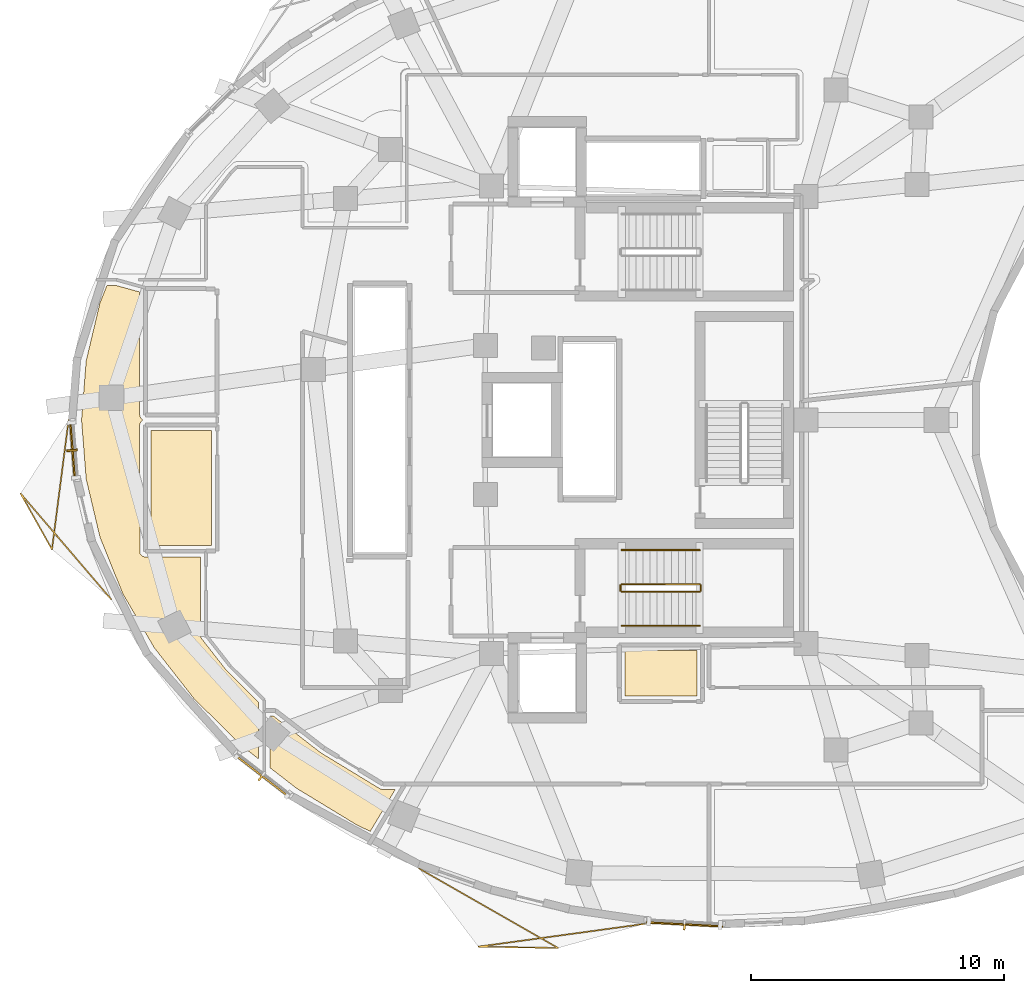
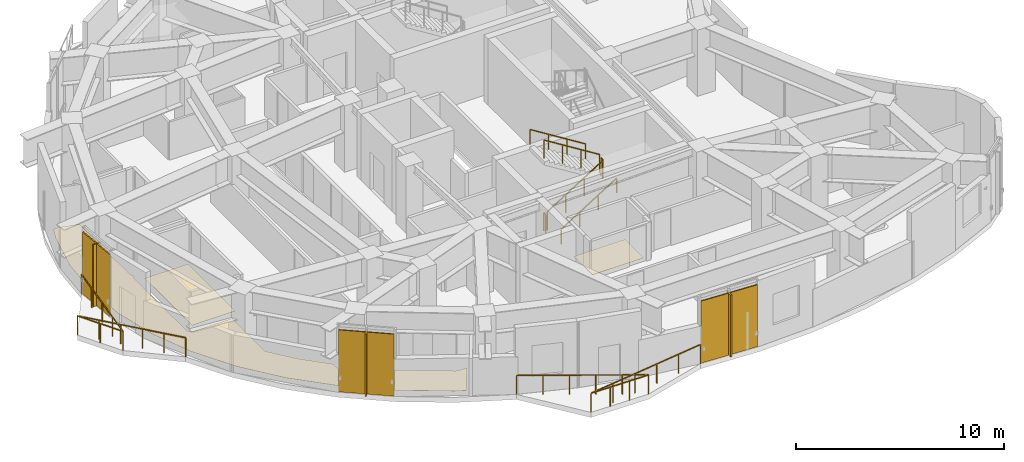
# One storey, part 11 of 13: 8 railings, 6 shading devices, 4 coverings.
"""IFC4 building model written with IfcOpenShell, lengths in metres."""

from ifc_helpers import new_model, si_unit, direction, frame, origin, origin_2d, place, context, subcontext, project, spatial, polyline, rectangle, outline, extrude, material, layer, layer_set, type_object, element, save


model = new_model("IFC4")

# Units and contexts
model_context = context("Model", 3, precision=1e-05, world=origin(), true_north=direction((0.0, 1.0)))
body_context = subcontext(model_context, "Body", "Model", "MODEL_VIEW")
ifc_project = project(units=[si_unit("LENGTHUNIT", "METRE"), si_unit("AREAUNIT", "SQUARE_METRE"), si_unit("VOLUMEUNIT", "CUBIC_METRE"), si_unit("PLANEANGLEUNIT", "RADIAN"), si_unit("MASSUNIT", "GRAM", prefix="KILO")], contexts=[model_context])

# Site, building, storey
site_placement = place(None, origin())
site = spatial("IfcSite", under=ifc_project, at=site_placement, CompositionType="ELEMENT")
building_placement = place(site_placement, origin())
building = spatial("IfcBuilding", under=site, at=building_placement, Name="Korentha Bioscience Tower", CompositionType="ELEMENT")
storey_placement = place(building_placement, frame((0.0, 0.0, 208.800048828125)))
storey = spatial("IfcBuildingStorey", under=building, at=storey_placement, Name="L48", CompositionType="ELEMENT", Elevation=208.800048828125)

# Railings
ifc_material_1 = material(Name="Stainless Steel 304", Category="steel")
railing_type_1 = type_object("IfcRailingType", Name="Brushed Stainless Stair Handrail 900", PredefinedType="HANDRAIL", material=ifc_material_1)
railing_1_placement = place(storey_placement, frame((30.25, 18.85009765625, 0.175048828125)))
element("IfcRailing", 1, at=railing_1_placement, inside=storey, type_object=railing_type_1, Name="L48 ST-2 stair handrail 1", PredefinedType="HANDRAIL", context=body_context, shape_type="SweptSolid", body=[
    extrude(rectangle(XDim=0.048095703125, YDim=0.048095703125, at=origin_2d()), frame((0.0, 0.0, 0.8759765625), z_axis=(0.848028513186, 0.0, 0.529950602248), x_axis=(0.0, 1.0, 0.0)), (0.0, 0.0, 1.0), 3.632080078125),
    extrude(rectangle(XDim=0.0419921875, YDim=0.0419921875, at=origin_2d()), origin(), (0.0, 0.0, 1.0), 0.851806640625),
    extrude(rectangle(XDim=0.0419921875, YDim=0.0419921875, at=origin_2d()), frame((1.026611328125, 0.0, 0.6416015625)), (0.0, 0.0, 1.0), 0.851806640625),
    extrude(rectangle(XDim=0.0419921875, YDim=0.0419921875, at=origin_2d()), frame((2.053466796875, 0.0, 1.283203125)), (0.0, 0.0, 1.0), 0.851806640625),
    extrude(rectangle(XDim=0.0419921875, YDim=0.0419921875, at=origin_2d()), frame((3.080078125, 0.0, 1.9248046875)), (0.0, 0.0, 1.0), 0.851806640625),
])
railing_2_placement = place(storey_placement, frame((33.330078125, 21.85009765625, 2.27490234375)))
element("IfcRailing", 2, at=railing_2_placement, inside=storey, type_object=railing_type_1, Name="L48 ST-2 stair handrail 2", PredefinedType="HANDRAIL", context=body_context, shape_type="SweptSolid", body=[
    extrude(rectangle(XDim=0.048095703125, YDim=0.048095703125, at=origin_2d()), frame((0.0, 0.0, 0.8759765625), z_axis=(-0.847998304005, 0.0, 0.529998940003), x_axis=(0.0, -1.0, 0.0)), (0.0, 0.0, 1.0), 3.632080078125),
    extrude(rectangle(XDim=0.0419921875, YDim=0.0419921875, at=origin_2d()), origin(), (0.0, 0.0, 1.0), 0.851806640625),
    extrude(rectangle(XDim=0.0419921875, YDim=0.0419921875, at=origin_2d()), frame((-1.026611328125, 0.0, 0.6416015625)), (0.0, 0.0, 1.0), 0.851806640625),
    extrude(rectangle(XDim=0.0419921875, YDim=0.0419921875, at=origin_2d()), frame((-2.053466796875, 0.0, 1.283447265625)), (0.0, 0.0, 1.0), 0.851806640625),
    extrude(rectangle(XDim=0.0419921875, YDim=0.0419921875, at=origin_2d()), frame((-3.080078125, 0.0, 1.925048828125)), (0.0, 0.0, 1.0), 0.851806640625),
])
ifc_material_2 = material(Name="Laminated Tempered Safety Glass", Category="glass")
railing_type_2 = type_object("IfcRailingType", Name="Laminated Glass Balcony Guardrail 1150", PredefinedType="BALUSTRADE", material=ifc_material_2)
railing_3_placement = place(storey_placement, frame((8.35888671875, 27.0, 0.0)))
element("IfcRailing", 3, at=railing_3_placement, inside=storey, type_object=railing_type_2, Name="L48 Balcony Guardrail 02", PredefinedType="BALUSTRADE", context=body_context, shape_type="SweptSolid", body=[
    extrude(rectangle(XDim=0.048095703125, YDim=0.048095703125, at=origin_2d()), frame((0.0, 0.0, 1.1259765625), z_axis=(-0.127570896731, -0.991829454245, 0.0), x_axis=(0.991829454245, -0.127570896731, 0.0)), (0.0, 0.0, 1.0), 5.165283203125),
    extrude(rectangle(XDim=0.048095703125, YDim=0.048095703125, at=origin_2d()), frame((-0.658935546875, -5.123046875, 1.1259765625), z_axis=(-0.489741100262, 0.871867911277, 0.0), x_axis=(-0.871867911277, -0.489741100262, 0.0)), (0.0, 0.0, 1.0), 2.541015625),
    extrude(rectangle(XDim=0.048095703125, YDim=0.048095703125, at=origin_2d()), frame((-1.9033203125, -2.90771484375, 1.1259765625), z_axis=(0.650280716054, -0.759694010986, 0.0), x_axis=(0.759694010986, 0.650280716054, 0.0)), (0.0, 0.0, 1.0), 5.513671875),
    extrude(rectangle(XDim=0.0419921875, YDim=0.0419921875, at=origin_2d()), origin(), (0.0, 0.0, 1.0), 1.101806640625),
    extrude(rectangle(XDim=0.0419921875, YDim=0.0419921875, at=origin_2d()), frame((-0.164794921875, -1.28076171875, 0.0)), (0.0, 0.0, 1.0), 1.101806640625),
    extrude(rectangle(XDim=0.0419921875, YDim=0.0419921875, at=origin_2d()), frame((-0.32958984375, -2.5615234375, 0.0)), (0.0, 0.0, 1.0), 1.101806640625),
    extrude(rectangle(XDim=0.0419921875, YDim=0.0419921875, at=origin_2d()), frame((-0.494140625, -3.84228515625, 0.0)), (0.0, 0.0, 1.0), 1.101806640625),
    extrude(rectangle(XDim=0.0419921875, YDim=0.0419921875, at=origin_2d()), frame((-0.658935546875, -5.123046875, 0.0)), (0.0, 0.0, 1.0), 1.101806640625),
    extrude(rectangle(XDim=0.0419921875, YDim=0.0419921875, at=origin_2d()), frame((-1.28125, -4.015380859375, 0.0)), (0.0, 0.0, 1.0), 1.101806640625),
    extrude(rectangle(XDim=0.0419921875, YDim=0.0419921875, at=origin_2d()), frame((-1.9033203125, -2.90771484375, 0.0)), (0.0, 0.0, 1.0), 1.101806640625),
    extrude(rectangle(XDim=0.0419921875, YDim=0.0419921875, at=origin_2d()), frame((-1.186279296875, -3.745361328125, 0.0)), (0.0, 0.0, 1.0), 1.101806640625),
    extrude(rectangle(XDim=0.0419921875, YDim=0.0419921875, at=origin_2d()), frame((-0.46923828125, -4.583251953125, 0.0)), (0.0, 0.0, 1.0), 1.101806640625),
    extrude(rectangle(XDim=0.0419921875, YDim=0.0419921875, at=origin_2d()), frame((0.248046875, -5.4208984375, 0.0)), (0.0, 0.0, 1.0), 1.101806640625),
    extrude(rectangle(XDim=0.0419921875, YDim=0.0419921875, at=origin_2d()), frame((0.965087890625, -6.2587890625, 0.0)), (0.0, 0.0, 1.0), 1.101806640625),
    extrude(rectangle(XDim=0.0419921875, YDim=0.0419921875, at=origin_2d()), frame((1.68212890625, -7.096435546875, 0.0)), (0.0, 0.0, 1.0), 1.101806640625),
])
railing_4_placement = place(storey_placement, frame((22.2265625, 9.246337890625, 0.0)))
element("IfcRailing", 4, at=railing_4_placement, inside=storey, type_object=railing_type_2, Name="L48 Balcony Guardrail 03", PredefinedType="BALUSTRADE", context=body_context, shape_type="SweptSolid", body=[
    extrude(rectangle(XDim=0.048095703125, YDim=0.048095703125, at=origin_2d()), frame((0.0, 0.0, 1.1259765625), z_axis=(0.868243142124, -0.496138938357, 0.0), x_axis=(0.496138938357, 0.868243142124, 0.0)), (0.0, 0.0, 1.0), 6.340087890625),
    extrude(rectangle(XDim=0.048095703125, YDim=0.048095703125, at=origin_2d()), frame((5.504638671875, -3.1455078125, 1.1259765625), z_axis=(-0.999858119731, 0.016844595835, 0.0), x_axis=(-0.016844595835, -0.999858119731, 0.0)), (0.0, 0.0, 1.0), 3.15966796875),
    extrude(rectangle(XDim=0.048095703125, YDim=0.048095703125, at=origin_2d()), frame((2.345458984375, -3.09228515625, 1.1259765625), z_axis=(0.990735221876, 0.1358076586, 0.0), x_axis=(-0.1358076586, 0.990735221876, 0.0)), (0.0, 0.0, 1.0), 6.6513671875),
    extrude(rectangle(XDim=0.0419921875, YDim=0.0419921875, at=origin_2d()), origin(), (0.0, 0.0, 1.0), 1.101806640625),
    extrude(rectangle(XDim=0.0419921875, YDim=0.0419921875, at=origin_2d()), frame((1.100830078125, -0.629150390625, 0.0)), (0.0, 0.0, 1.0), 1.101806640625),
    extrude(rectangle(XDim=0.0419921875, YDim=0.0419921875, at=origin_2d()), frame((2.201904296875, -1.25830078125, 0.0)), (0.0, 0.0, 1.0), 1.101806640625),
    extrude(rectangle(XDim=0.0419921875, YDim=0.0419921875, at=origin_2d()), frame((3.302734375, -1.88720703125, 0.0)), (0.0, 0.0, 1.0), 1.101806640625),
    extrude(rectangle(XDim=0.0419921875, YDim=0.0419921875, at=origin_2d()), frame((4.40380859375, -2.516357421875, 0.0)), (0.0, 0.0, 1.0), 1.101806640625),
    extrude(rectangle(XDim=0.0419921875, YDim=0.0419921875, at=origin_2d()), frame((5.504638671875, -3.1455078125, 0.0)), (0.0, 0.0, 1.0), 1.101806640625),
    extrude(rectangle(XDim=0.0419921875, YDim=0.0419921875, at=origin_2d()), frame((4.45166015625, -3.127685546875, 0.0)), (0.0, 0.0, 1.0), 1.101806640625),
    extrude(rectangle(XDim=0.0419921875, YDim=0.0419921875, at=origin_2d()), frame((3.3984375, -3.110107421875, 0.0)), (0.0, 0.0, 1.0), 1.101806640625),
    extrude(rectangle(XDim=0.0419921875, YDim=0.0419921875, at=origin_2d()), frame((2.345458984375, -3.09228515625, 0.0)), (0.0, 0.0, 1.0), 1.101806640625),
    extrude(rectangle(XDim=0.0419921875, YDim=0.0419921875, at=origin_2d()), frame((3.663330078125, -2.91162109375, 0.0)), (0.0, 0.0, 1.0), 1.101806640625),
    extrude(rectangle(XDim=0.0419921875, YDim=0.0419921875, at=origin_2d()), frame((4.9814453125, -2.73095703125, 0.0)), (0.0, 0.0, 1.0), 1.101806640625),
    extrude(rectangle(XDim=0.0419921875, YDim=0.0419921875, at=origin_2d()), frame((6.29931640625, -2.55029296875, 0.0)), (0.0, 0.0, 1.0), 1.101806640625),
    extrude(rectangle(XDim=0.0419921875, YDim=0.0419921875, at=origin_2d()), frame((7.617431640625, -2.36962890625, 0.0)), (0.0, 0.0, 1.0), 1.101806640625),
    extrude(rectangle(XDim=0.0419921875, YDim=0.0419921875, at=origin_2d()), frame((8.935302734375, -2.18896484375, 0.0)), (0.0, 0.0, 1.0), 1.101806640625),
])
ifc_material_3 = material(Name="Painted Steel S275", Category="steel")
railing_type_3 = type_object("IfcRailingType", Name="Painted Steel Stair Well Guardrail 1100", PredefinedType="GUARDRAIL", material=ifc_material_3)
railing_5_placement = place(storey_placement, frame((30.25, 20.199951171875, 0.175048828125)))
element("IfcRailing", 5, at=railing_5_placement, inside=storey, type_object=railing_type_3, Name="L48 ST-2 stair guard 1", PredefinedType="GUARDRAIL", context=body_context, shape_type="SweptSolid", body=[
    extrude(rectangle(XDim=0.048095703125, YDim=0.048095703125, at=origin_2d()), frame((0.0, 0.0, 1.076171875), z_axis=(0.848028513186, 0.0, 0.529950602248), x_axis=(0.0, 1.0, 0.0)), (0.0, 0.0, 1.0), 3.632080078125),
    extrude(rectangle(XDim=0.0419921875, YDim=0.0419921875, at=origin_2d()), origin(), (0.0, 0.0, 1.0), 1.052001953125),
    extrude(rectangle(XDim=0.0419921875, YDim=0.0419921875, at=origin_2d()), frame((1.026611328125, 0.0, 0.6416015625)), (0.0, 0.0, 1.0), 1.052001953125),
    extrude(rectangle(XDim=0.0419921875, YDim=0.0419921875, at=origin_2d()), frame((2.053466796875, 0.0, 1.283203125)), (0.0, 0.0, 1.0), 1.052001953125),
    extrude(rectangle(XDim=0.0419921875, YDim=0.0419921875, at=origin_2d()), frame((3.080078125, 0.0, 1.9248046875)), (0.0, 0.0, 1.0), 1.052001953125),
])
railing_6_placement = place(storey_placement, frame((33.3798828125, 20.25, 2.099853515625)))
element("IfcRailing", 6, at=railing_6_placement, inside=storey, type_object=railing_type_3, Name="L48 ST-2 stair guard 2", PredefinedType="GUARDRAIL", context=body_context, shape_type="SweptSolid", body=[
    extrude(rectangle(XDim=0.048095703125, YDim=0.048095703125, at=origin_2d()), frame((0.0, 0.0, 1.076171875), z_axis=(0.0, 1.0, 0.0), x_axis=(-1.0, 0.0, 0.0)), (0.0, 0.0, 1.0), 0.199951171875),
    extrude(rectangle(XDim=0.0419921875, YDim=0.0419921875, at=origin_2d()), origin(), (0.0, 0.0, 1.0), 1.052001953125),
    extrude(rectangle(XDim=0.0419921875, YDim=0.0419921875, at=origin_2d()), frame((0.0, 0.199951171875, 0.0)), (0.0, 0.0, 1.0), 1.052001953125),
])
railing_7_placement = place(storey_placement, frame((33.330078125, 20.5, 2.27490234375)))
element("IfcRailing", 7, at=railing_7_placement, inside=storey, type_object=railing_type_3, Name="L48 ST-2 stair guard 3", PredefinedType="GUARDRAIL", context=body_context, shape_type="SweptSolid", body=[
    extrude(rectangle(XDim=0.048095703125, YDim=0.048095703125, at=origin_2d()), frame((0.0, 0.0, 1.076171875), z_axis=(-0.847998304005, 0.0, 0.529998940003), x_axis=(0.0, -1.0, 0.0)), (0.0, 0.0, 1.0), 3.632080078125),
    extrude(rectangle(XDim=0.0419921875, YDim=0.0419921875, at=origin_2d()), origin(), (0.0, 0.0, 1.0), 1.052001953125),
    extrude(rectangle(XDim=0.0419921875, YDim=0.0419921875, at=origin_2d()), frame((-1.026611328125, 0.0, 0.6416015625)), (0.0, 0.0, 1.0), 1.052001953125),
    extrude(rectangle(XDim=0.0419921875, YDim=0.0419921875, at=origin_2d()), frame((-2.053466796875, 0.0, 1.283447265625)), (0.0, 0.0, 1.0), 1.052001953125),
    extrude(rectangle(XDim=0.0419921875, YDim=0.0419921875, at=origin_2d()), frame((-3.080078125, 0.0, 1.925048828125)), (0.0, 0.0, 1.0), 1.052001953125),
])
railing_8_placement = place(storey_placement, frame((30.199951171875, 20.25, 0.0)))
element("IfcRailing", 8, at=railing_8_placement, inside=storey, type_object=railing_type_3, Name="L48 ST-2 stair guard 4", PredefinedType="GUARDRAIL", context=body_context, shape_type="SweptSolid", body=[
    extrude(rectangle(XDim=0.048095703125, YDim=0.048095703125, at=origin_2d()), frame((0.0, 0.0, 1.076171875), z_axis=(0.0, 1.0, 0.0), x_axis=(-1.0, 0.0, 0.0)), (0.0, 0.0, 1.0), 0.199951171875),
    extrude(rectangle(XDim=0.0419921875, YDim=0.0419921875, at=origin_2d()), origin(), (0.0, 0.0, 1.0), 1.052001953125),
    extrude(rectangle(XDim=0.0419921875, YDim=0.0419921875, at=origin_2d()), frame((0.0, 0.199951171875, 0.0)), (0.0, 0.0, 1.0), 1.052001953125),
])

# Shading devices
ifc_material_4 = material(Name="Perforated Stone-Ceramic Composite", Category="masonry")
ifc_layer_1 = layer(ifc_material_4, 0.06494140625, Name="Perforated Stone-Ceramic Composite")
ifc_layer_set_1 = layer_set([ifc_layer_1], Name="Perforated Stone-Ceramic Composite (CS-01)")
shading_device_type_1 = type_object("IfcShadingDeviceType", Name="Perforated Stone-Ceramic Solar Screen Panel 65", PredefinedType="USERDEFINED", material=ifc_layer_set_1)
shading_device_1_placement = place(storey_placement, frame((8.512939453125, 25.798828125, 0.0), z_axis=(0.0, 0.0, 1.0), x_axis=(0.077987717013, -0.996954319914, 0.0)))
element("IfcShadingDevice", 9, at=shading_device_1_placement, inside=storey, type_object=shading_device_type_1, Name="CW-L48-19 Perforated Stone-Ceramic Solar Screen", ObjectType="SCREEN", PredefinedType="USERDEFINED", context=body_context, shape_type="SweptSolid", body=[
    extrude(rectangle(XDim=2.319091796875, YDim=0.06494140625, at=origin_2d()), origin(), (0.0, 0.0, 1.0), 3.6298828125),
])
shading_device_2_placement = place(storey_placement, frame((16.013671875, 12.910400390625, 0.0), z_axis=(0.0, 0.0, 1.0), x_axis=(0.790346099854, -0.612660625833, 0.0)))
element("IfcShadingDevice", 10, at=shading_device_2_placement, inside=storey, type_object=shading_device_type_1, Name="CW-L48-25 Perforated Stone-Ceramic Solar Screen", ObjectType="SCREEN", PredefinedType="USERDEFINED", context=body_context, shape_type="SweptSolid", body=[
    extrude(rectangle(XDim=2.69921875, YDim=0.06494140625, at=origin_2d()), origin(), (0.0, 0.0, 1.0), 3.6298828125),
])
shading_device_3_placement = place(storey_placement, frame((32.73193359375, 7.03515625, 0.0), z_axis=(0.0, 0.0, 1.0), x_axis=(0.998634603964, -0.052239140168, 0.0)))
element("IfcShadingDevice", 11, at=shading_device_3_placement, inside=storey, type_object=shading_device_type_1, Name="CW-L48-31 Perforated Stone-Ceramic Solar Screen", ObjectType="SCREEN", PredefinedType="USERDEFINED", context=body_context, shape_type="SweptSolid", body=[
    extrude(rectangle(XDim=3.037841796875, YDim=0.06494140625, at=origin_2d()), origin(), (0.0, 0.0, 1.0), 3.6298828125),
])

# Coverings
ifc_material_5 = material(Name="Chemical-Resistant Epoxy Resin", Category="polymer")
ifc_layer_2 = layer(ifc_material_5, 0.011962890625, Name="Chemical-Resistant Epoxy Resin")
ifc_layer_set_2 = layer_set([ifc_layer_2], Name="Chemical-Resistant Epoxy Resin (FL-EPX)")
covering_type = type_object("IfcCoveringType", Name="Seamless Epoxy Laboratory Flooring 12", PredefinedType="FLOORING", material=ifc_layer_set_2)
covering_1_placement = place(storey_placement, origin())
element("IfcCovering", 12, at=covering_1_placement, inside=storey, type_object=covering_type, Name="L48 Core Instrumentation and Gas Store Floor Finish", PredefinedType="FLOORING", context=body_context, shape_type="SweptSolid", body=[
    extrude(outline(polyline([(33.22998046875, 17.8701171875), (33.219970703125, 16.080078125), (30.3798828125, 16.080078125), (30.371337890625, 17.8701171875), (33.22998046875, 17.8701171875)])), origin(), (0.0, 0.0, 1.0), 0.011962890625),
])
covering_2_placement = place(storey_placement, origin())
element("IfcCovering", 13, at=covering_2_placement, inside=storey, type_object=covering_type, Name="L48 Reclaimed Bank-1 Cold Freezer Alcove Floor Finish", PredefinedType="FLOORING", context=body_context, shape_type="SweptSolid", body=[
    extrude(outline(polyline([(14.02001953125, 22.030029296875), (11.6201171875, 22.02099609375), (11.6201171875, 26.580078125), (14.02001953125, 26.580078125), (14.02001953125, 22.030029296875)])), origin(), (0.0, 0.0, 1.0), 0.011962890625),
])
covering_3_placement = place(storey_placement, origin())
element("IfcCovering", 14, at=covering_3_placement, inside=storey, type_object=covering_type, Name="L48 Research Colloquium Seminar Room 01 Floor Finish", PredefinedType="FLOORING", context=body_context, shape_type="SweptSolid", body=[
    extrude(outline(polyline([(10.21826171875, 32.327880859375), (11.169921875, 32.064208984375), (11.169921875, 27.199951171875), (11.202392578125, 27.082275390625), (11.286865234375, 27.0), (11.202392578125, 26.917724609375), (11.169921875, 26.800048828125), (11.177001953125, 21.74365234375), (11.202880859375, 21.681396484375), (11.2626953125, 21.615478515625), (11.38818359375, 21.5703125), (13.570068359375, 21.570068359375), (13.576416015625, 18.437744140625), (13.61865234375, 18.3505859375), (14.59619140625, 17.10009765625), (15.8779296875, 15.832275390625), (15.8779296875, 13.5849609375), (15.20751953125, 14.1044921875), (13.323486328125, 15.967041015625), (11.74755859375, 17.984619140625), (10.500244140625, 20.128173828125), (9.598388671875, 22.3662109375), (9.052978515625, 24.66748046875), (8.870361328125, 27.0), (9.052978515625, 29.33251953125), (9.598388671875, 31.633544921875), (9.878173828125, 32.327880859375), (10.21826171875, 32.327880859375)])), origin(), (0.0, 0.0, 1.0), 0.011962890625),
])
covering_4_placement = place(storey_placement, origin())
element("IfcCovering", 15, at=covering_4_placement, inside=storey, type_object=covering_type, Name="L48 Biospecimen Archive Store 03 Floor Finish", PredefinedType="FLOORING", context=body_context, shape_type="SweptSolid", body=[
    extrude(outline(polyline([(16.327880859375, 15.27783203125), (16.468505859375, 15.278076171875), (18.339111328125, 13.82861328125), (20.681396484375, 12.403564453125), (20.789794921875, 12.370361328125), (21.281494140625, 12.3701171875), (20.296630859375, 10.7177734375), (19.78857421875, 10.956787109375), (17.372802734375, 12.426025390625), (16.327880859375, 13.236083984375), (16.327880859375, 15.27783203125)])), origin(), (0.0, 0.0, 1.0), 0.011962890625),
])

# Shading devices
ifc_material_6 = material(Name="Honed Travertine Limestone", Category="masonry")
ifc_layer_3 = layer(ifc_material_6, 0.080078125, Name="Honed Travertine Limestone")
ifc_layer_set_3 = layer_set([ifc_layer_3], Name="Honed Travertine Limestone (CS-02)")
shading_device_type_2 = type_object("IfcShadingDeviceType", Name="Vertical Honed Limestone Sunshade Fin 80x420", PredefinedType="USERDEFINED", material=ifc_layer_set_3)
for number, where, z_axis, x_axis, name in (
    (16, (8.492919921875, 25.79736328125, 0.0), (0.0, 0.0, 1.0), (0.077987717013, -0.996954319914, 0.0), "CW-L48-19 Limestone Sunshade Fin"),
    (17, (16.00146484375, 12.89453125, 0.0), (0.0, 0.0, 1.0), (0.790346099854, -0.612660625833, 0.0), "CW-L48-25 Limestone Sunshade Fin"),
    (18, (32.73095703125, 7.015380859375, 0.0), (0.0, 0.0, 1.0), (0.998634603964, -0.052239140168, 0.0), "CW-L48-31 Limestone Sunshade Fin"),
):
    element("IfcShadingDevice", number, at=place(storey_placement, frame(where, z_axis=z_axis, x_axis=x_axis)), inside=storey, type_object=shading_device_type_2, Name=name, ObjectType="SCREEN", PredefinedType="USERDEFINED", context=body_context, shape_type="SweptSolid", body=[
        extrude(rectangle(XDim=0.080078125, YDim=0.419921875, at=origin_2d()), origin(), (0.0, 0.0, 1.0), 3.6298828125),
    ])

save(model, "model.ifc")
